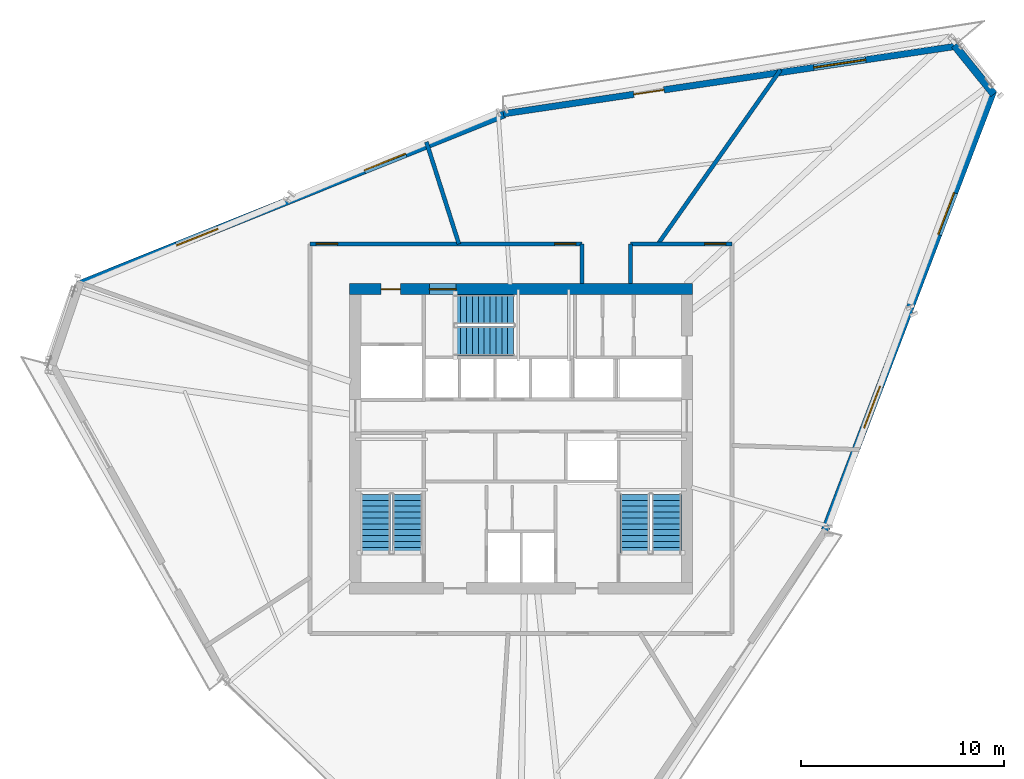
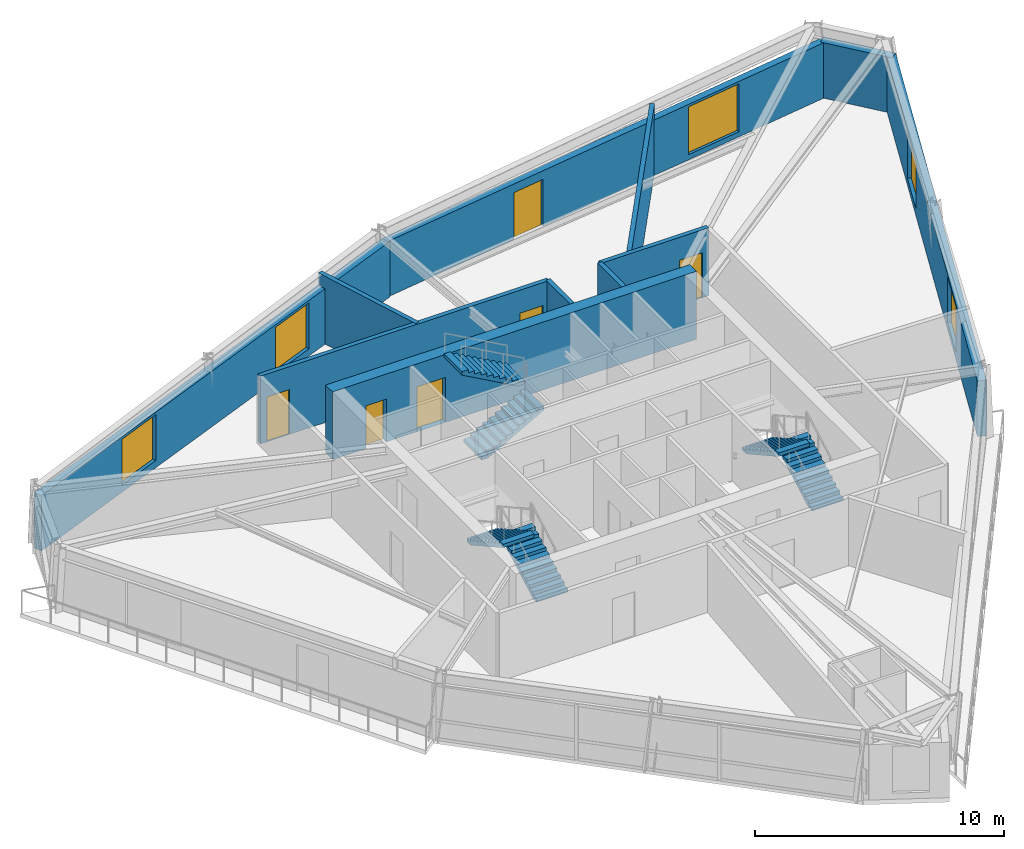
# One storey, part 10 of 13: 11 walls, 6 doors, 6 stair flights, 5 windows, 11 openings, 3 elements without a shape of their own.
"""IFC4 building model written with IfcOpenShell, lengths in metres."""

from ifc_helpers import new_model, si_unit, direction, frame, frame_2d, origin, place, context, subcontext, project, spatial, polyline, rectangle, outline, extrude, source, transform, mapped, material, layer, layer_set, type_object, type_shapes, element, fill, aggregate, save


model = new_model("IFC4")

# Units and contexts
model_context = context("Model", 3, precision=1e-05, world=origin(), true_north=direction((0.0, 1.0)))
body_context = subcontext(model_context, "Body", "Model", "MODEL_VIEW")
ifc_project = project(units=[si_unit("LENGTHUNIT", "METRE"), si_unit("AREAUNIT", "SQUARE_METRE"), si_unit("VOLUMEUNIT", "CUBIC_METRE"), si_unit("PLANEANGLEUNIT", "RADIAN"), si_unit("MASSUNIT", "GRAM", prefix="KILO")], contexts=[model_context])

# Site, building, storey
site_placement = place(None, origin())
site = spatial("IfcSite", under=ifc_project, at=site_placement, CompositionType="ELEMENT")
building_placement = place(site_placement, origin())
building = spatial("IfcBuilding", under=site, at=building_placement, Name="Olszyna Solenne Hotel", CompositionType="ELEMENT")
storey_placement = place(building_placement, frame((0.0, 0.0, 192.75)))
storey = spatial("IfcBuildingStorey", under=building, at=storey_placement, Name="L51", CompositionType="ELEMENT", Elevation=192.75)

# Wall, openings, doors
ifc_material_1 = material(Name="Concrete C50/60", Category="concrete")
ifc_layer_1 = layer(ifc_material_1, 0.550048828125, Name="Concrete C50/60")
ifc_layer_set_1 = layer_set([ifc_layer_1], Name="Concrete C50/60")
wall_type_1 = type_object("IfcWallType", Name="WL-CR550", PredefinedType="SHEAR", material=ifc_layer_set_1)
wall_1_placement = place(storey_placement, frame((29.550048828125, 33.97509765625, 0.0), z_axis=(0.0, 0.0, 1.0), x_axis=(1.0, 0.0, 0.0)))
wall_1 = element("IfcWall", 1, at=wall_1_placement, inside=storey, type_object=wall_type_1, Name="Core shear wall WL-CR550 CRW-L51-N", PredefinedType="SHEAR", context=body_context, shape_type="SweptSolid", body=[
    extrude(rectangle(XDim=16.89990234375, YDim=0.550048828125, at=frame_2d((8.449951171875, 0.0))), origin(), (0.0, 0.0, 1.0), 3.330078125),
])
opening_1_placement = place(wall_1_placement, frame((1.550048828125, 0.0, 0.0)))
opening_1 = element("IfcOpeningElement", 2, at=opening_1_placement, cuts=wall_1, Name="Opening SVD-L51-01", PredefinedType="OPENING", context=body_context, shape_type="SweptSolid", body=[
    extrude(rectangle(XDim=0.949951171875, YDim=2.10009765625, at=frame_2d((0.47509765625, 1.050048828125))), frame((0.0, 0.28515625, 0.0), z_axis=(0.0, -1.0, 0.0), x_axis=(1.0, 0.0, 0.0)), (0.0, 0.0, 1.0), 0.570068359375),
])
opening_2_placement = place(wall_1_placement, frame((3.929931640625, 0.0, 0.0)))
opening_2 = element("IfcOpeningElement", 3, at=opening_2_placement, cuts=wall_1, Name="Opening STD-L51-03", PredefinedType="OPENING", context=body_context, shape_type="SweptSolid", body=[
    extrude(rectangle(XDim=1.320068359375, YDim=2.199951171875, at=frame_2d((0.66015625, 1.10009765625))), frame((0.0, 0.28515625, 0.0), z_axis=(0.0, -1.0, 0.0), x_axis=(1.0, 0.0, 0.0)), (0.0, 0.0, 1.0), 0.570068359375),
])
ifc_material_2 = material(Name="Steel S355J2", Category="steel")
door_type_1 = type_object("IfcDoorType", Name="DR-ST1", OperationType="NOTDEFINED", PredefinedType="DOOR", material=ifc_material_2)
shared_shape_1 = source(origin(), body_context, "Body", "SweptSolid", [
    extrude(rectangle(XDim=1.320068359375, YDim=2.199951171875, at=frame_2d((0.66015625, 1.10009765625))), frame((0.0, 0.02490234375, 0.0), z_axis=(0.0, -1.0, 0.0), x_axis=(1.0, 0.0, 0.0)), (0.0, 0.0, 1.0), 0.050048828125),
])
type_shapes(door_type_1, [shared_shape_1])
door_1_placement = place(opening_2_placement, origin())
door_1 = element("IfcDoor", 4, at=door_1_placement, inside=storey, type_object=door_type_1, Name="Pressurised exit stair ST3 fire door STD-L51-03", OperationType="SINGLE_SWING_RIGHT", OverallHeight=2.199951171875, OverallWidth=1.320068359375, PredefinedType="DOOR", context=body_context, shape_type="MappedRepresentation", body=[
    mapped(shared_shape_1, transform((0.0, 0.0, 0.0), x_axis=(1.0, 0.0, 0.0), y_axis=(0.0, 1.0, 0.0), z_axis=(0.0, 0.0, 1.0), scale=1.0)),
])
fill(opening_2, door_1)
door_type_2 = type_object("IfcDoorType", Name="DR-SV1", OperationType="NOTDEFINED", PredefinedType="DOOR", material=ifc_material_2)
shared_shape_2 = source(origin(), body_context, "Body", "SweptSolid", [
    extrude(rectangle(XDim=0.949951171875, YDim=2.10009765625, at=frame_2d((0.47509765625, 1.050048828125))), frame((0.0, 0.02490234375, 0.0), z_axis=(0.0, -1.0, 0.0), x_axis=(1.0, 0.0, 0.0)), (0.0, 0.0, 1.0), 0.050048828125),
])
type_shapes(door_type_2, [shared_shape_2])
door_2_placement = place(opening_1_placement, origin())
door_2 = element("IfcDoor", 5, at=door_2_placement, inside=storey, type_object=door_type_2, Name="Service lift lobby fire door SVD-L51-01", OperationType="SINGLE_SWING_LEFT", OverallHeight=2.10009765625, OverallWidth=0.949951171875, PredefinedType="DOOR", context=body_context, shape_type="MappedRepresentation", body=[
    mapped(shared_shape_2, transform((0.0, 0.0, 0.0), x_axis=(1.0, 0.0, 0.0), y_axis=(0.0, 1.0, 0.0), z_axis=(0.0, 0.0, 1.0), scale=1.0)),
])
fill(opening_1, door_2)

# Wall, openings, door, window
ifc_material_3 = material(Name="Precast concrete C45/55", Category="concrete")
ifc_layer_2 = layer(ifc_material_3, 0.320068359375, Name="Precast concrete C45/55")
ifc_layer_set_2 = layer_set([ifc_layer_2], Name="Precast concrete C45/55")
wall_type_2 = type_object("IfcWallType", Name="WL-EX320", PredefinedType="SOLIDWALL", material=ifc_layer_set_2)
wall_2_placement = place(storey_placement, frame((37.131103515625, 42.6171875, 0.0), z_axis=(0.0, 0.0, 1.0), x_axis=(0.989058686521, 0.147522590195, 0.0)))
wall_2 = element("IfcWall", 6, at=wall_2_placement, inside=storey, type_object=wall_type_2, Name="Exterior terracotta-precast frame wall WL-EX320 EW-L51-08", PredefinedType="SOLIDWALL", context=body_context, shape_type="SweptSolid", body=[
    extrude(rectangle(XDim=22.656005859375, YDim=0.320068359375, at=frame_2d((11.328125, 0.0))), origin(), (0.0, 0.0, 1.0), 2.721923828125),
])
opening_3_placement = place(wall_2_placement, frame((6.5, 0.0, 0.0)))
opening_3 = element("IfcOpeningElement", 7, at=opening_3_placement, cuts=wall_2, Name="Opening LDG-L51-1", PredefinedType="OPENING", context=body_context, shape_type="SweptSolid", body=[
    extrude(rectangle(XDim=1.5, YDim=2.300048828125, at=frame_2d((0.75, 1.14990234375))), frame((0.0, 0.169921875, 0.0), z_axis=(0.0, -1.0, 0.0), x_axis=(1.0, 0.0, 0.0)), (0.0, 0.0, 1.0), 0.340087890625),
])
opening_4_placement = place(wall_2_placement, frame((15.465087890625, 0.0, 0.251953125)))
opening_4 = element("IfcOpeningElement", 8, at=opening_4_placement, cuts=wall_2, Name="Opening WN-L51-330", PredefinedType="OPENING", context=body_context, shape_type="SweptSolid", body=[
    extrude(rectangle(XDim=2.60009765625, YDim=2.35009765625, at=frame_2d((1.300048828125, 1.175048828125))), frame((0.0, 0.169921875, 0.0), z_axis=(0.0, -1.0, 0.0), x_axis=(1.0, 0.0, 0.0)), (0.0, 0.0, 1.0), 0.340087890625),
])
ifc_material_4 = material(Name="Anodised bronze aluminium", Category="aluminium")
door_type_3 = type_object("IfcDoorType", Name="DR-LG2", OperationType="DOUBLE_DOOR_SINGLE_SWING", PredefinedType="DOOR", material=ifc_material_4)
shared_shape_3 = source(origin(), body_context, "Body", "SweptSolid", [
    extrude(rectangle(XDim=1.5, YDim=2.300048828125, at=frame_2d((0.75, 1.14990234375))), frame((0.0, 0.02490234375, 0.0), z_axis=(0.0, -1.0, 0.0), x_axis=(1.0, 0.0, 0.0)), (0.0, 0.0, 1.0), 0.050048828125),
])
type_shapes(door_type_3, [shared_shape_3])
door_3_placement = place(opening_3_placement, origin())
door_3 = element("IfcDoor", 9, at=door_3_placement, inside=storey, type_object=door_type_3, Name="Exterior loggia balcony door DR-LG2 LDG-L51-1", OperationType="DOUBLE_DOOR_SINGLE_SWING", OverallHeight=2.300048828125, OverallWidth=1.5, PredefinedType="DOOR", context=body_context, shape_type="MappedRepresentation", body=[
    mapped(shared_shape_3, transform((0.0, 0.0, 0.0), x_axis=(1.0, 0.0, 0.0), y_axis=(0.0, 1.0, 0.0), z_axis=(0.0, 0.0, 1.0), scale=1.0)),
])
fill(opening_3, door_3)
ifc_material_5 = material(Name="Low-E triple glazing", Category="glass")
window_type_1 = type_object("IfcWindowType", Name="WN-ST1", PartitioningType="SINGLE_PANEL", PredefinedType="WINDOW", material=ifc_material_5)
shared_shape_4 = source(origin(), body_context, "Body", "SweptSolid", [
    extrude(rectangle(XDim=2.60009765625, YDim=2.35009765625, at=frame_2d((1.300048828125, 1.175048828125))), frame((0.0, 0.030029296875, 0.0), z_axis=(0.0, -1.0, 0.0), x_axis=(1.0, 0.0, 0.0)), (0.0, 0.0, 1.0), 0.06005859375),
])
type_shapes(window_type_1, [shared_shape_4])
window_1_placement = place(opening_4_placement, origin())
window_1 = element("IfcWindow", 10, at=window_1_placement, inside=storey, type_object=window_type_1, Name="Loggia room window WN-ST1 WN-L51-330", OverallHeight=2.35009765625, OverallWidth=2.60009765625, PartitioningType="SINGLE_PANEL", PredefinedType="WINDOW", context=body_context, shape_type="MappedRepresentation", body=[
    mapped(shared_shape_4, transform((0.0, 0.0, 0.0), x_axis=(1.0, 0.0, 0.0), y_axis=(0.0, 1.0, 0.0), z_axis=(0.0, 0.0, 1.0), scale=1.0)),
])
fill(opening_4, window_1)

# Wall, openings, windows
ifc_material_6 = material(Name="Terracotta cladding on precast concrete C45/55", Category="masonry")
ifc_layer_3 = layer(ifc_material_6, 0.3798828125, Name="Terracotta cladding on precast concrete C45/55")
ifc_layer_set_3 = layer_set([ifc_layer_3], Name="Terracotta cladding on precast concrete C45/55")
wall_type_3 = type_object("IfcWallType", Name="WL-EX380", PredefinedType="SOLIDWALL", material=ifc_layer_set_3)
wall_3_placement = place(storey_placement, frame((16.14599609375, 34.176513671875, 0.0), z_axis=(0.0, 0.0, 1.0), x_axis=(0.928328726299, 0.371760374339, 0.0)))
wall_3 = element("IfcWall", 11, at=wall_3_placement, inside=storey, type_object=wall_type_3, Name="Exterior terracotta-precast frame wall WL-EX380 EW-L51-07", PredefinedType="SOLIDWALL", context=body_context, shape_type="SweptSolid", body=[
    extrude(rectangle(XDim=22.656005859375, YDim=0.3798828125, at=frame_2d((11.328125, 0.0))), origin(), (0.0, 0.0, 1.0), 2.721923828125),
])
opening_5_placement = place(wall_3_placement, frame((5.243896484375, 0.0, 0.35205078125)))
opening_5 = element("IfcOpeningElement", 12, at=opening_5_placement, cuts=wall_3, Name="Opening WN-L51-328", PredefinedType="OPENING", context=body_context, shape_type="SweptSolid", body=[
    extrude(rectangle(XDim=2.199951171875, YDim=2.25, at=frame_2d((1.10009765625, 1.125))), frame((0.0, 0.199951171875, 0.0), z_axis=(0.0, -1.0, 0.0), x_axis=(1.0, 0.0, 0.0)), (0.0, 0.0, 1.0), 0.39990234375),
])
opening_6_placement = place(wall_3_placement, frame((15.2119140625, 0.0, 0.35205078125)))
opening_6 = element("IfcOpeningElement", 13, at=opening_6_placement, cuts=wall_3, Name="Opening WN-L51-329", PredefinedType="OPENING", context=body_context, shape_type="SweptSolid", body=[
    extrude(rectangle(XDim=2.199951171875, YDim=2.25, at=frame_2d((1.10009765625, 1.125))), frame((0.0, 0.199951171875, 0.0), z_axis=(0.0, -1.0, 0.0), x_axis=(1.0, 0.0, 0.0)), (0.0, 0.0, 1.0), 0.39990234375),
])
window_type_2 = type_object("IfcWindowType", Name="WN-HT2", PartitioningType="SINGLE_PANEL", PredefinedType="WINDOW", material=ifc_material_5)
shared_shape_5 = source(origin(), body_context, "Body", "SweptSolid", [
    extrude(rectangle(XDim=2.199951171875, YDim=2.25, at=frame_2d((1.10009765625, 1.125))), frame((0.0, 0.030029296875, 0.0), z_axis=(0.0, -1.0, 0.0), x_axis=(1.0, 0.0, 0.0)), (0.0, 0.0, 1.0), 0.06005859375),
])
type_shapes(window_type_2, [shared_shape_5])
window_2_placement = place(opening_5_placement, origin())
window_2 = element("IfcWindow", 14, at=window_2_placement, inside=storey, type_object=window_type_2, Name="Exterior facade window WN-HT2 WN-L51-328", OverallHeight=2.25, OverallWidth=2.199951171875, PartitioningType="SINGLE_PANEL", PredefinedType="WINDOW", context=body_context, shape_type="MappedRepresentation", body=[
    mapped(shared_shape_5, transform((0.0, 0.0, 0.0), x_axis=(1.0, 0.0, 0.0), y_axis=(0.0, 1.0, 0.0), z_axis=(0.0, 0.0, 1.0), scale=1.0)),
])
fill(opening_5, window_2)
window_3_placement = place(opening_6_placement, origin())
window_3 = element("IfcWindow", 15, at=window_3_placement, inside=storey, type_object=window_type_2, Name="Exterior facade window WN-HT2 WN-L51-329", OverallHeight=2.25, OverallWidth=2.199951171875, PartitioningType="SINGLE_PANEL", PredefinedType="WINDOW", context=body_context, shape_type="MappedRepresentation", body=[
    mapped(shared_shape_5, transform((0.0, 0.0, 0.0), x_axis=(1.0, 0.0, 0.0), y_axis=(0.0, 1.0, 0.0), z_axis=(0.0, 0.0, 1.0), scale=1.0)),
])
fill(opening_6, window_3)

# Wall
wall_4_placement = place(storey_placement, frame((59.367919921875, 45.998291015625, 0.0), z_axis=(0.0, 0.0, 1.0), x_axis=(0.627295033494, -0.778781703017, 0.0)))
element("IfcWall", 16, at=wall_4_placement, inside=storey, type_object=wall_type_3, Name="Exterior terracotta-precast frame wall WL-EX380 EW-L51-09", PredefinedType="SOLIDWALL", context=body_context, shape_type="SweptSolid", body=[
    extrude(rectangle(XDim=3.09912109375, YDim=0.3798828125, at=frame_2d((1.549560546875, 0.0))), origin(), (0.0, 0.0, 1.0), 2.721923828125),
])

# Wall, openings, windows
wall_5_placement = place(storey_placement, frame((61.28271484375, 43.77197265625, 0.0), z_axis=(0.0, 0.0, 1.0), x_axis=(-0.357452785868, -0.933931210462, 0.0)))
wall_5 = element("IfcWall", 17, at=wall_5_placement, inside=storey, type_object=wall_type_3, Name="Exterior terracotta-precast frame wall WL-EX380 EW-L51-10", PredefinedType="SOLIDWALL", context=body_context, shape_type="SweptSolid", body=[
    extrude(rectangle(XDim=23.22412109375, YDim=0.3798828125, at=frame_2d((11.612060546875, 0.0))), origin(), (0.0, 0.0, 1.0), 2.721923828125),
])
opening_7_placement = place(wall_5_placement, frame((5.403076171875, 0.0, 0.35205078125)))
opening_7 = element("IfcOpeningElement", 18, at=opening_7_placement, cuts=wall_5, Name="Opening WN-L51-331", PredefinedType="OPENING", context=body_context, shape_type="SweptSolid", body=[
    extrude(rectangle(XDim=2.199951171875, YDim=2.25, at=frame_2d((1.10009765625, 1.125))), frame((0.0, 0.199951171875, 0.0), z_axis=(0.0, -1.0, 0.0), x_axis=(1.0, 0.0, 0.0)), (0.0, 0.0, 1.0), 0.39990234375),
])
opening_8_placement = place(wall_5_placement, frame((15.62109375, 0.0, 0.35205078125)))
opening_8 = element("IfcOpeningElement", 19, at=opening_8_placement, cuts=wall_5, Name="Opening WN-L51-332", PredefinedType="OPENING", context=body_context, shape_type="SweptSolid", body=[
    extrude(rectangle(XDim=2.199951171875, YDim=2.25, at=frame_2d((1.10009765625, 1.125))), frame((0.0, 0.199951171875, 0.0), z_axis=(0.0, -1.0, 0.0), x_axis=(1.0, 0.0, 0.0)), (0.0, 0.0, 1.0), 0.39990234375),
])
window_4_placement = place(opening_7_placement, origin())
window_4 = element("IfcWindow", 20, at=window_4_placement, inside=storey, type_object=window_type_2, Name="Exterior facade window WN-HT2 WN-L51-331", OverallHeight=2.25, OverallWidth=2.199951171875, PartitioningType="SINGLE_PANEL", PredefinedType="WINDOW", context=body_context, shape_type="MappedRepresentation", body=[
    mapped(shared_shape_5, transform((0.0, 0.0, 0.0), x_axis=(1.0, 0.0, 0.0), y_axis=(0.0, 1.0, 0.0), z_axis=(0.0, 0.0, 1.0), scale=1.0)),
])
fill(opening_7, window_4)
window_5_placement = place(opening_8_placement, origin())
window_5 = element("IfcWindow", 21, at=window_5_placement, inside=storey, type_object=window_type_2, Name="Exterior facade window WN-HT2 WN-L51-332", OverallHeight=2.25, OverallWidth=2.199951171875, PartitioningType="SINGLE_PANEL", PredefinedType="WINDOW", context=body_context, shape_type="MappedRepresentation", body=[
    mapped(shared_shape_5, transform((0.0, 0.0, 0.0), x_axis=(1.0, 0.0, 0.0), y_axis=(0.0, 1.0, 0.0), z_axis=(0.0, 0.0, 1.0), scale=1.0)),
])
fill(opening_8, window_5)

# Walls
ifc_material_7 = material(Name="Acoustic gypsum partition", Category="gypsum")
ifc_layer_4 = layer(ifc_material_7, 0.199951171875, Name="Acoustic gypsum partition")
ifc_layer_set_4 = layer_set([ifc_layer_4], Name="Acoustic gypsum partition")
wall_type_4 = type_object("IfcWallType", Name="WL-PT200", PredefinedType="PARTITIONING", material=ifc_layer_set_4)
wall_6_placement = place(storey_placement, frame((44.75244140625, 36.199951171875, 0.0), z_axis=(0.0, 0.0, 1.0), x_axis=(0.5753136503, 0.817932884642, 0.0)))
element("IfcWall", 22, at=wall_6_placement, inside=storey, type_object=wall_type_4, Name="Interior acoustic partition WL-PT200 PW-L51-2885", PredefinedType="PARTITIONING", context=body_context, shape_type="SweptSolid", body=[
    extrude(rectangle(XDim=10.497314453125, YDim=0.199951171875, at=frame_2d((5.24853515625, 0.0))), origin(), (0.0, 0.0, 1.0), 3.330078125),
])
wall_7_placement = place(storey_placement, frame((34.935302734375, 36.199951171875, 0.0), z_axis=(0.0, 0.0, 1.0), x_axis=(-0.304092848706, 0.952642398472, 0.0)))
element("IfcWall", 23, at=wall_7_placement, inside=storey, type_object=wall_type_4, Name="Interior acoustic partition WL-PT200 PW-L51-2886", PredefinedType="PARTITIONING", context=body_context, shape_type="SweptSolid", body=[
    extrude(rectangle(XDim=5.2802734375, YDim=0.199951171875, at=frame_2d((2.64013671875, 0.0))), origin(), (0.0, 0.0, 1.0), 3.330078125),
])

# Wall, openings, doors
wall_8_placement = place(storey_placement, frame((27.60009765625, 36.199951171875, 0.0), z_axis=(0.0, 0.0, 1.0), x_axis=(1.0, 0.0, 0.0)))
wall_8 = element("IfcWall", 24, at=wall_8_placement, inside=storey, type_object=wall_type_4, Name="Interior acoustic partition WL-PT200 PW-L51-2896", PredefinedType="PARTITIONING", context=body_context, shape_type="SweptSolid", body=[
    extrude(rectangle(XDim=13.39990234375, YDim=0.199951171875, at=frame_2d((6.699951171875, 0.0))), origin(), (0.0, 0.0, 1.0), 3.330078125),
])
opening_9_placement = place(wall_8_placement, frame((12.050048828125, 0.0, 0.0)))
opening_9 = element("IfcOpeningElement", 25, at=opening_9_placement, cuts=wall_8, Name="Opening DR-L51-0707", PredefinedType="OPENING", context=body_context, shape_type="SweptSolid", body=[
    extrude(rectangle(XDim=1.050048828125, YDim=2.199951171875, at=frame_2d((0.52490234375, 1.10009765625))), frame((0.0, 0.10986328125, 0.0), z_axis=(0.0, -1.0, 0.0), x_axis=(1.0, 0.0, 0.0)), (0.0, 0.0, 1.0), 0.219970703125),
])
opening_10_placement = place(wall_8_placement, frame((0.300048828125, 0.0, 0.0)))
opening_10 = element("IfcOpeningElement", 26, at=opening_10_placement, cuts=wall_8, Name="Opening DR-L51-0708", PredefinedType="OPENING", context=body_context, shape_type="SweptSolid", body=[
    extrude(rectangle(XDim=1.050048828125, YDim=2.199951171875, at=frame_2d((0.52490234375, 1.10009765625))), frame((0.0, 0.10986328125, 0.0), z_axis=(0.0, -1.0, 0.0), x_axis=(1.0, 0.0, 0.0)), (0.0, 0.0, 1.0), 0.219970703125),
])
ifc_material_8 = material(Name="Timber hardwood", Category="wood")
door_type_4 = type_object("IfcDoorType", Name="DR-RM2", OperationType="NOTDEFINED", PredefinedType="DOOR", material=ifc_material_8)
shared_shape_6 = source(origin(), body_context, "Body", "SweptSolid", [
    extrude(rectangle(XDim=1.050048828125, YDim=2.199951171875, at=frame_2d((0.52490234375, 1.10009765625))), frame((0.0, 0.02490234375, 0.0), z_axis=(0.0, -1.0, 0.0), x_axis=(1.0, 0.0, 0.0)), (0.0, 0.0, 1.0), 0.050048828125),
])
type_shapes(door_type_4, [shared_shape_6])
door_4_placement = place(opening_9_placement, origin())
door_4 = element("IfcDoor", 27, at=door_4_placement, inside=storey, type_object=door_type_4, Name="Sommelier Tasting Lounge Entrance Door DR-L51-0707", OperationType="SINGLE_SWING_RIGHT", OverallHeight=2.199951171875, OverallWidth=1.050048828125, PredefinedType="DOOR", context=body_context, shape_type="MappedRepresentation", body=[
    mapped(shared_shape_6, transform((0.0, 0.0, 0.0), x_axis=(1.0, 0.0, 0.0), y_axis=(0.0, 1.0, 0.0), z_axis=(0.0, 0.0, 1.0), scale=1.0)),
])
fill(opening_9, door_4)
door_5_placement = place(opening_10_placement, origin())
door_5 = element("IfcDoor", 28, at=door_5_placement, inside=storey, type_object=door_type_4, Name="Conference Boardroom Entrance Door DR-L51-0708", OperationType="SINGLE_SWING_LEFT", OverallHeight=2.199951171875, OverallWidth=1.050048828125, PredefinedType="DOOR", context=body_context, shape_type="MappedRepresentation", body=[
    mapped(shared_shape_6, transform((0.0, 0.0, 0.0), x_axis=(1.0, 0.0, 0.0), y_axis=(0.0, 1.0, 0.0), z_axis=(0.0, 0.0, 1.0), scale=1.0)),
])
fill(opening_10, door_5)

# Wall
wall_9_placement = place(storey_placement, frame((41.0, 34.25, 0.0), z_axis=(0.0, 0.0, 1.0), x_axis=(0.0, 1.0, 0.0)))
element("IfcWall", 29, at=wall_9_placement, inside=storey, type_object=wall_type_4, Name="Interior acoustic partition WL-PT200 PW-L51-2897", PredefinedType="PARTITIONING", context=body_context, shape_type="SweptSolid", body=[
    extrude(rectangle(XDim=1.949951171875, YDim=0.199951171875, at=frame_2d((0.97509765625, 0.0))), origin(), (0.0, 0.0, 1.0), 3.330078125),
])

# Wall, opening, door
wall_10_placement = place(storey_placement, frame((43.39990234375, 36.199951171875, 0.0), z_axis=(0.0, 0.0, 1.0), x_axis=(1.0, 0.0, 0.0)))
wall_10 = element("IfcWall", 30, at=wall_10_placement, inside=storey, type_object=wall_type_4, Name="Interior acoustic partition WL-PT200 PW-L51-2898", PredefinedType="PARTITIONING", context=body_context, shape_type="SweptSolid", body=[
    extrude(rectangle(XDim=5.0, YDim=0.199951171875, at=frame_2d((2.5, 0.0))), origin(), (0.0, 0.0, 1.0), 3.330078125),
])
opening_11_placement = place(wall_10_placement, frame((3.64990234375, 0.0, 0.0)))
opening_11 = element("IfcOpeningElement", 31, at=opening_11_placement, cuts=wall_10, Name="Opening DR-L51-0709", PredefinedType="OPENING", context=body_context, shape_type="SweptSolid", body=[
    extrude(rectangle(XDim=1.050048828125, YDim=2.199951171875, at=frame_2d((0.52490234375, 1.10009765625))), frame((0.0, 0.10986328125, 0.0), z_axis=(0.0, -1.0, 0.0), x_axis=(1.0, 0.0, 0.0)), (0.0, 0.0, 1.0), 0.219970703125),
])
door_6_placement = place(opening_11_placement, origin())
door_6 = element("IfcDoor", 32, at=door_6_placement, inside=storey, type_object=door_type_4, Name="Executive Club Lounge Entrance Door DR-L51-0709", OperationType="SINGLE_SWING_LEFT", OverallHeight=2.199951171875, OverallWidth=1.050048828125, PredefinedType="DOOR", context=body_context, shape_type="MappedRepresentation", body=[
    mapped(shared_shape_6, transform((0.0, 0.0, 0.0), x_axis=(1.0, 0.0, 0.0), y_axis=(0.0, 1.0, 0.0), z_axis=(0.0, 0.0, 1.0), scale=1.0)),
])
fill(opening_11, door_6)

# Wall
wall_11_placement = place(storey_placement, frame((43.39990234375, 34.25, 0.0), z_axis=(0.0, 0.0, 1.0), x_axis=(0.0, 1.0, 0.0)))
element("IfcWall", 33, at=wall_11_placement, inside=storey, type_object=wall_type_4, Name="Interior acoustic partition WL-PT200 PW-L51-2899", PredefinedType="PARTITIONING", context=body_context, shape_type="SweptSolid", body=[
    extrude(rectangle(XDim=1.949951171875, YDim=0.199951171875, at=frame_2d((0.97509765625, 0.0))), origin(), (0.0, 0.0, 1.0), 3.330078125),
])

# Stair, stair flights
ifc_material_9 = material(Name="Concrete C40/50", Category="concrete")
stair_type = type_object("IfcStairType", Name="STR-C1", PredefinedType="TWO_QUARTER_WINDING_STAIR", material=ifc_material_9)
stair_1_placement = place(storey_placement, origin())
stair_1 = element("IfcStair", 34, at=stair_1_placement, inside=storey, type_object=stair_type, Name="L51 ST1", PredefinedType="TWO_QUARTER_WINDING_STAIR")
stair_flight_type = type_object("IfcStairFlightType", Name="FLT-C1", PredefinedType="STRAIGHT", material=ifc_material_9)
stair_flight_1_placement = place(storey_placement, frame((32.39501953125, 20.949951171875, 0.0), z_axis=(0.0, 0.0, 1.0), x_axis=(0.0, 1.0, 0.0)))
stair_flight_1 = element("IfcStairFlight", 35, at=stair_flight_1_placement, type_object=stair_flight_type, Name="ST1 flight 1", NumberOfRisers=11, NumberOfTreads=10, PredefinedType="STRAIGHT", RiserHeight=0.161363636, TreadLength=0.29, context=body_context, shape_type="SweptSolid", body=[
    extrude(outline(polyline([(0.0, 0.0), (0.0, 0.161376953125), (0.2900390625, 0.161376953125), (0.2900390625, 0.32275390625), (0.580078125, 0.32275390625), (0.580078125, 0.484130859375), (0.8701171875, 0.484130859375), (0.8701171875, 0.6455078125), (1.159912109375, 0.6455078125), (1.159912109375, 0.806884765625), (1.449951171875, 0.806884765625), (1.449951171875, 0.96826171875), (1.739990234375, 0.96826171875), (1.739990234375, 1.129638671875), (2.030029296875, 1.129638671875), (2.030029296875, 1.291015625), (2.320068359375, 1.291015625), (2.320068359375, 1.452392578125), (2.610107421875, 1.452392578125), (2.610107421875, 1.613525390625), (2.89990234375, 1.613525390625), (2.89990234375, 1.77490234375), (2.89990234375, 1.442138671875), (0.308349609375, 0.0), (0.0, 0.0)])), frame((0.0, 0.72509765625, 0.0), z_axis=(0.0, -1.0, 0.0), x_axis=(1.0, 0.0, 0.0)), (0.0, 0.0, 1.0), 1.449951171875),
])
stair_flight_2_placement = place(storey_placement, frame((30.824951171875, 23.85009765625, 1.77490234375), z_axis=(0.0, 0.0, 1.0), x_axis=(0.0, -1.0, 0.0)))
stair_flight_2 = element("IfcStairFlight", 36, at=stair_flight_2_placement, type_object=stair_flight_type, Name="ST1 flight 2", NumberOfRisers=11, NumberOfTreads=10, PredefinedType="STRAIGHT", RiserHeight=0.161363636, TreadLength=0.29, context=body_context, shape_type="SweptSolid", body=[
    extrude(outline(polyline([(0.0, 0.0), (0.0, 0.161376953125), (0.2900390625, 0.161376953125), (0.2900390625, 0.32275390625), (0.580078125, 0.32275390625), (0.580078125, 0.484130859375), (0.8701171875, 0.484130859375), (0.8701171875, 0.6455078125), (1.159912109375, 0.6455078125), (1.159912109375, 0.806884765625), (1.449951171875, 0.806884765625), (1.449951171875, 0.96826171875), (1.739990234375, 0.96826171875), (1.739990234375, 1.129638671875), (2.030029296875, 1.129638671875), (2.030029296875, 1.291015625), (2.320068359375, 1.291015625), (2.320068359375, 1.452392578125), (2.610107421875, 1.452392578125), (2.610107421875, 1.613525390625), (2.89990234375, 1.613525390625), (2.89990234375, 1.77490234375), (2.89990234375, 1.442138671875), (0.308349609375, 0.0), (0.0, 0.0)])), frame((0.0, 0.72509765625, 0.0), z_axis=(0.0, -1.0, 0.0), x_axis=(1.0, 0.0, 0.0)), (0.0, 0.0, 1.0), 1.449951171875),
])
aggregate(stair_1, [stair_flight_1, stair_flight_2])

stair_2_placement = place(storey_placement, origin())
stair_2 = element("IfcStair", 37, at=stair_2_placement, inside=storey, type_object=stair_type, Name="L51 ST2", PredefinedType="TWO_QUARTER_WINDING_STAIR")
stair_flight_3_placement = place(storey_placement, frame((45.175048828125, 20.949951171875, 0.0), z_axis=(0.0, 0.0, 1.0), x_axis=(0.0, 1.0, 0.0)))
stair_flight_3 = element("IfcStairFlight", 38, at=stair_flight_3_placement, type_object=stair_flight_type, Name="ST2 flight 1", NumberOfRisers=11, NumberOfTreads=10, PredefinedType="STRAIGHT", RiserHeight=0.161363636, TreadLength=0.29, context=body_context, shape_type="SweptSolid", body=[
    extrude(outline(polyline([(0.0, 0.0), (0.0, 0.161376953125), (0.2900390625, 0.161376953125), (0.2900390625, 0.32275390625), (0.580078125, 0.32275390625), (0.580078125, 0.484130859375), (0.8701171875, 0.484130859375), (0.8701171875, 0.6455078125), (1.159912109375, 0.6455078125), (1.159912109375, 0.806884765625), (1.449951171875, 0.806884765625), (1.449951171875, 0.96826171875), (1.739990234375, 0.96826171875), (1.739990234375, 1.129638671875), (2.030029296875, 1.129638671875), (2.030029296875, 1.291015625), (2.320068359375, 1.291015625), (2.320068359375, 1.452392578125), (2.610107421875, 1.452392578125), (2.610107421875, 1.613525390625), (2.89990234375, 1.613525390625), (2.89990234375, 1.77490234375), (2.89990234375, 1.442138671875), (0.308349609375, 0.0), (0.0, 0.0)])), frame((0.0, 0.72509765625, 0.0), z_axis=(0.0, -1.0, 0.0), x_axis=(1.0, 0.0, 0.0)), (0.0, 0.0, 1.0), 1.449951171875),
])
stair_flight_4_placement = place(storey_placement, frame((43.60498046875, 23.85009765625, 1.77490234375), z_axis=(0.0, 0.0, 1.0), x_axis=(0.0, -1.0, 0.0)))
stair_flight_4 = element("IfcStairFlight", 39, at=stair_flight_4_placement, type_object=stair_flight_type, Name="ST2 flight 2", NumberOfRisers=11, NumberOfTreads=10, PredefinedType="STRAIGHT", RiserHeight=0.161363636, TreadLength=0.29, context=body_context, shape_type="SweptSolid", body=[
    extrude(outline(polyline([(0.0, 0.0), (0.0, 0.161376953125), (0.2900390625, 0.161376953125), (0.2900390625, 0.32275390625), (0.580078125, 0.32275390625), (0.580078125, 0.484130859375), (0.8701171875, 0.484130859375), (0.8701171875, 0.6455078125), (1.159912109375, 0.6455078125), (1.159912109375, 0.806884765625), (1.449951171875, 0.806884765625), (1.449951171875, 0.96826171875), (1.739990234375, 0.96826171875), (1.739990234375, 1.129638671875), (2.030029296875, 1.129638671875), (2.030029296875, 1.291015625), (2.320068359375, 1.291015625), (2.320068359375, 1.452392578125), (2.610107421875, 1.452392578125), (2.610107421875, 1.613525390625), (2.89990234375, 1.613525390625), (2.89990234375, 1.77490234375), (2.89990234375, 1.442138671875), (0.308349609375, 0.0), (0.0, 0.0)])), frame((0.0, 0.72509765625, 0.0), z_axis=(0.0, -1.0, 0.0), x_axis=(1.0, 0.0, 0.0)), (0.0, 0.0, 1.0), 1.449951171875),
])
aggregate(stair_2, [stair_flight_3, stair_flight_4])

stair_3_placement = place(storey_placement, origin())
stair_3 = element("IfcStair", 40, at=stair_3_placement, inside=storey, type_object=stair_type, Name="L51 ST3", PredefinedType="TWO_QUARTER_WINDING_STAIR")
stair_flight_5_placement = place(storey_placement, frame((34.72998046875, 31.405029296875, 0.0), z_axis=(0.0, 0.0, 1.0), x_axis=(1.0, 0.0, 0.0)))
stair_flight_5 = element("IfcStairFlight", 41, at=stair_flight_5_placement, type_object=stair_flight_type, Name="ST3 flight 1", NumberOfRisers=11, NumberOfTreads=10, PredefinedType="STRAIGHT", RiserHeight=0.161363636, TreadLength=0.29, context=body_context, shape_type="SweptSolid", body=[
    extrude(outline(polyline([(0.0, 0.0), (0.0, 0.161376953125), (0.2900390625, 0.161376953125), (0.2900390625, 0.32275390625), (0.580078125, 0.32275390625), (0.580078125, 0.484130859375), (0.8701171875, 0.484130859375), (0.8701171875, 0.6455078125), (1.159912109375, 0.6455078125), (1.159912109375, 0.806884765625), (1.449951171875, 0.806884765625), (1.449951171875, 0.96826171875), (1.739990234375, 0.96826171875), (1.739990234375, 1.129638671875), (2.030029296875, 1.129638671875), (2.030029296875, 1.291015625), (2.320068359375, 1.291015625), (2.320068359375, 1.452392578125), (2.610107421875, 1.452392578125), (2.610107421875, 1.613525390625), (2.89990234375, 1.613525390625), (2.89990234375, 1.77490234375), (2.89990234375, 1.442138671875), (0.308349609375, 0.0), (0.0, 0.0)])), frame((0.0, 0.72509765625, 0.0), z_axis=(0.0, -1.0, 0.0), x_axis=(1.0, 0.0, 0.0)), (0.0, 0.0, 1.0), 1.449951171875),
])
stair_flight_6_placement = place(storey_placement, frame((37.6298828125, 32.97509765625, 1.77490234375), z_axis=(0.0, 0.0, 1.0), x_axis=(-1.0, 0.0, 0.0)))
stair_flight_6 = element("IfcStairFlight", 42, at=stair_flight_6_placement, type_object=stair_flight_type, Name="ST3 flight 2", NumberOfRisers=11, NumberOfTreads=10, PredefinedType="STRAIGHT", RiserHeight=0.161363636, TreadLength=0.29, context=body_context, shape_type="SweptSolid", body=[
    extrude(outline(polyline([(0.0, 0.0), (0.0, 0.161376953125), (0.2900390625, 0.161376953125), (0.2900390625, 0.32275390625), (0.580078125, 0.32275390625), (0.580078125, 0.484130859375), (0.8701171875, 0.484130859375), (0.8701171875, 0.6455078125), (1.159912109375, 0.6455078125), (1.159912109375, 0.806884765625), (1.449951171875, 0.806884765625), (1.449951171875, 0.96826171875), (1.739990234375, 0.96826171875), (1.739990234375, 1.129638671875), (2.030029296875, 1.129638671875), (2.030029296875, 1.291015625), (2.320068359375, 1.291015625), (2.320068359375, 1.452392578125), (2.610107421875, 1.452392578125), (2.610107421875, 1.613525390625), (2.89990234375, 1.613525390625), (2.89990234375, 1.77490234375), (2.89990234375, 1.442138671875), (0.308349609375, 0.0), (0.0, 0.0)])), frame((0.0, 0.72509765625, 0.0), z_axis=(0.0, -1.0, 0.0), x_axis=(1.0, 0.0, 0.0)), (0.0, 0.0, 1.0), 1.449951171875),
])
aggregate(stair_3, [stair_flight_5, stair_flight_6])

save(model, "model.ifc")
